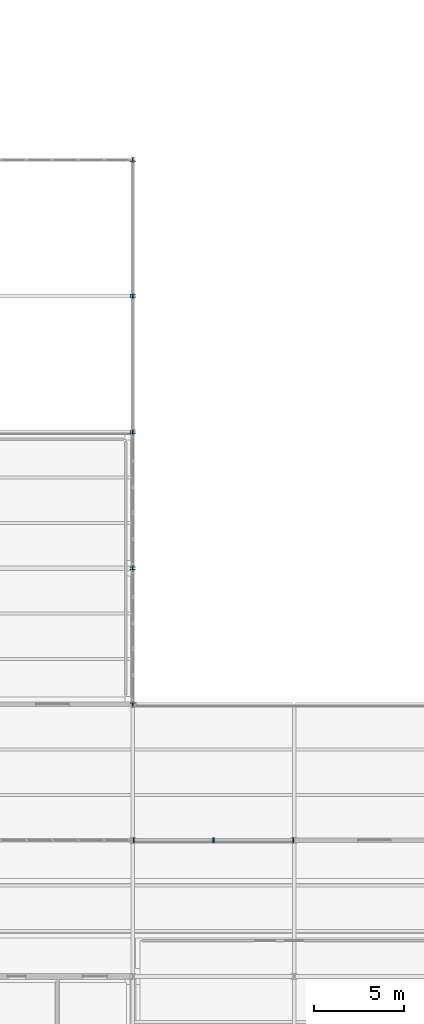
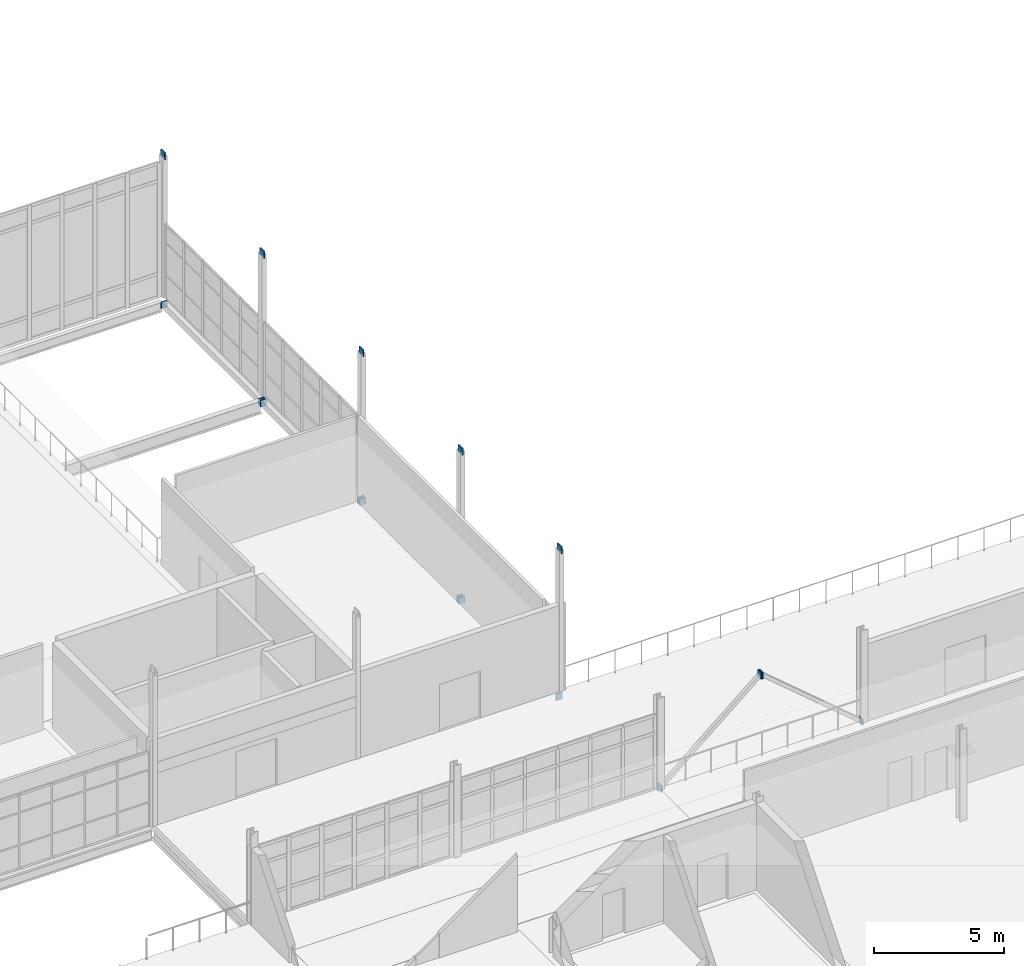
# One storey, part 143 of 166: 17 plates.
"""IFC4 building model written with IfcOpenShell, lengths in metres."""

from ifc_helpers import new_model, si_unit, direction, frame, origin, origin_2d, place, context, subcontext, project, spatial, rectangle, extrude, material, layer, layer_set, type_object, element, save


model = new_model("IFC4")

# Units and contexts
model_context = context("Model", 3, precision=1e-05, world=origin(), true_north=direction((0.0, 1.0)))
body_context = subcontext(model_context, "Body", "Model", "MODEL_VIEW")
ifc_project = project(units=[si_unit("LENGTHUNIT", "METRE"), si_unit("AREAUNIT", "SQUARE_METRE"), si_unit("VOLUMEUNIT", "CUBIC_METRE"), si_unit("PLANEANGLEUNIT", "RADIAN"), si_unit("MASSUNIT", "GRAM", prefix="KILO")], contexts=[model_context])

# Site, building, storey
site_placement = place(None, origin())
site = spatial("IfcSite", under=ifc_project, at=site_placement, CompositionType="ELEMENT")
building_placement = place(site_placement, origin())
building = spatial("IfcBuilding", under=site, at=building_placement, Name="Caisbarro Railhouse Central Library", CompositionType="ELEMENT")
storey_placement = place(building_placement, frame((0.0, 0.0, 9.360107421875)))
storey = spatial("IfcBuildingStorey", under=building, at=storey_placement, Name="L02", CompositionType="ELEMENT", Elevation=9.360107421875)

# Plates
ifc_material = material(Name="Steel ASTM A572 Grade 50", Category="steel")
ifc_layer_1 = layer(ifc_material, 0.044921875, Name="Steel ASTM A572 Grade 50")
ifc_layer_set_1 = layer_set([ifc_layer_1], Name="Steel ASTM A572 Grade 50")
plate_type_1 = type_object("IfcPlateType", Name="PLT-EP01", PredefinedType="SHEET", material=ifc_layer_set_1)
for number, where, z_axis, x_axis, name in (
    (1, (72.0, 30.468017578125, -0.52001953125), (0.0, 0.0, 1.0), (0.0, 1.0, 0.0), "EP01 end cap plate"),
    (2, (72.0, 37.931884765625, -0.52001953125), (0.0, 0.0, 1.0), (0.0, 1.0, 0.0), "EP01 end cap plate"),
    (3, (72.0, 38.068115234375, -0.52001953125), (0.0, 0.0, 1.0), (0.0, 1.0, 0.0), "EP01 end cap plate"),
    (4, (72.0, 45.531982421875, -0.52001953125), (0.0, 0.0, 1.0), (0.0, 1.0, 0.0), "EP01 end cap plate"),
    (5, (72.0, 45.66796875, -0.52001953125), (0.0, 0.0, 1.0), (0.0, 1.0, 0.0), "EP01 end cap plate"),
    (6, (72.0, 53.132080078125, -0.52001953125), (0.0, 0.0, 1.0), (0.0, 1.0, 0.0), "EP01 end cap plate"),
    (7, (72.0, 53.26806640625, -0.52001953125), (0.0, 0.0, 1.0), (0.0, 1.0, 0.0), "EP01 end cap plate"),
    (8, (72.0, 60.73193359375, -0.52001953125), (0.0, 0.0, 1.0), (0.0, 1.0, 0.0), "EP01 end cap plate"),
    (9, (72.05078125, 22.800048828125, -0.1376953125), (0.0, 0.0, 1.0), (1.0, 0.0, 0.0), "EP01 end cap plate"),
    (10, (76.46923828125, 22.800048828125, 3.59765625), (0.0, 0.0, 1.0), (1.0, 0.0, 0.0), "EP01 end cap plate"),
    (11, (80.94921875, 22.800048828125, -0.1376953125), (0.0, 0.0, 1.0), (-1.0, 0.0, 0.0), "EP01 end cap plate"),
    (12, (76.53076171875, 22.800048828125, 3.59765625), (0.0, 0.0, 1.0), (-1.0, 0.0, 0.0), "EP01 end cap plate"),
):
    element("IfcPlate", number, at=place(storey_placement, frame(where, z_axis=z_axis, x_axis=x_axis)), inside=storey, type_object=plate_type_1, Name=name, PredefinedType="SHEET", context=body_context, shape_type="SweptSolid", body=[
        extrude(rectangle(XDim=0.044921875, YDim=0.280029296875, at=origin_2d()), origin(), (0.0, 0.0, 1.0), 0.300048828125),
    ])
ifc_layer_2 = layer(ifc_material, 0.054931640625, Name="Steel ASTM A572 Grade 50")
ifc_layer_set_2 = layer_set([ifc_layer_2], Name="Steel ASTM A572 Grade 50")
plate_type_2 = type_object("IfcPlateType", Name="PLT-EP02", PredefinedType="SHEET", material=ifc_layer_set_2)
for number, where, z_axis, x_axis, name in (
    (13, (72.0, 30.39990234375, 6.44189453125), (0.0, 0.0, 1.0), (1.0, 0.0, 0.0), "EP02 end cap plate"),
    (14, (72.0, 38.0, 6.44189453125), (0.0, 0.0, 1.0), (1.0, 0.0, 0.0), "EP02 end cap plate"),
    (15, (72.0, 45.60009765625, 6.44189453125), (0.0, 0.0, 1.0), (1.0, 0.0, 0.0), "EP02 end cap plate"),
    (16, (72.0, 53.199951171875, 6.44189453125), (0.0, 0.0, 1.0), (1.0, 0.0, 0.0), "EP02 end cap plate"),
    (17, (72.0, 60.800048828125, 6.44189453125), (0.0, 0.0, 1.0), (1.0, 0.0, 0.0), "EP02 end cap plate"),
):
    element("IfcPlate", number, at=place(storey_placement, frame(where, z_axis=z_axis, x_axis=x_axis)), inside=storey, type_object=plate_type_2, Name=name, PredefinedType="SHEET", context=body_context, shape_type="SweptSolid", body=[
        extrude(rectangle(XDim=0.054931640625, YDim=0.320068359375, at=origin_2d()), origin(), (0.0, 0.0, 1.0), 0.320068359375),
    ])

save(model, "model.ifc")
